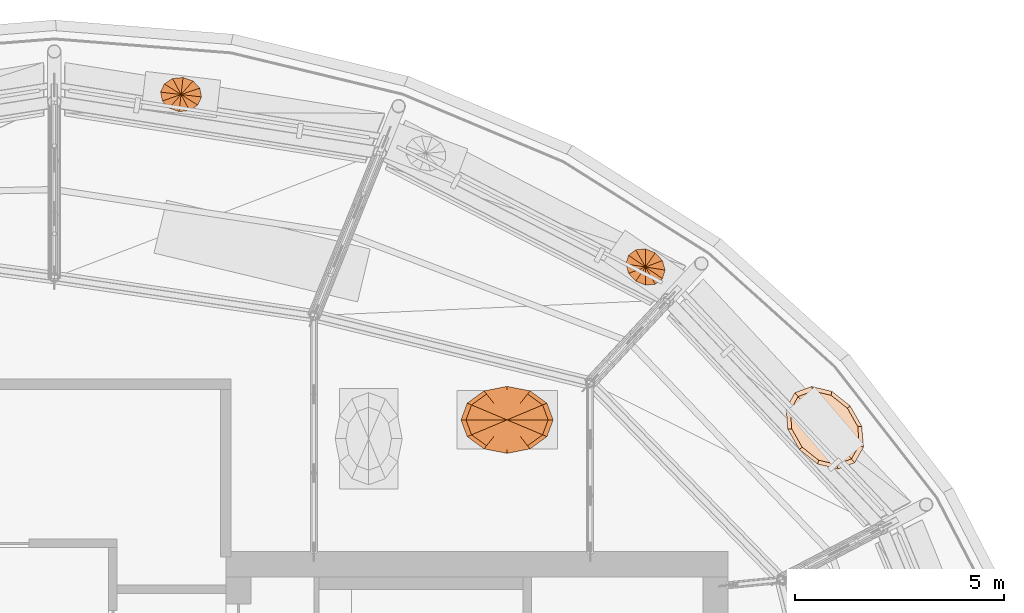
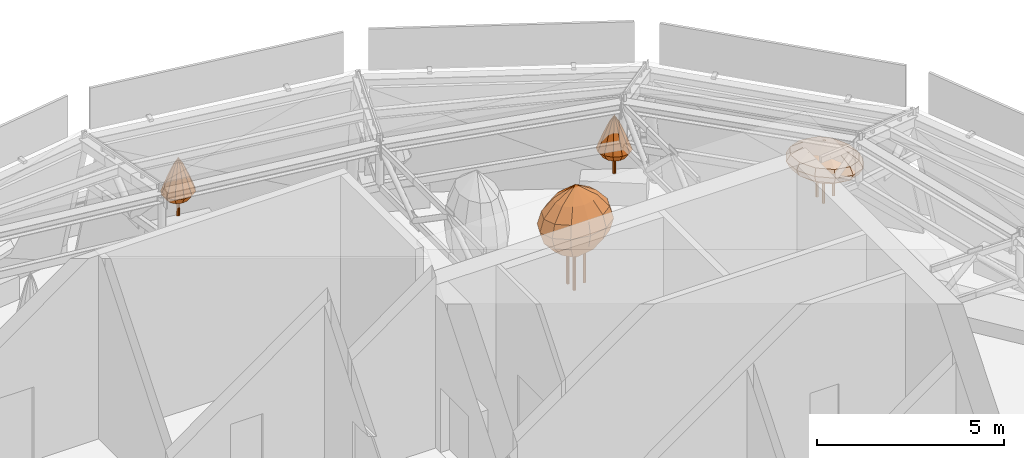
# One storey, part 39 of 40: 4 geographic elements.
"""IFC4 building model written with IfcOpenShell, lengths in metres."""

from ifc_helpers import new_model, si_unit, direction, frame, origin, place, context, subcontext, project, spatial, faceted_brep, material, constituent, constituent_set, type_object, element, save


model = new_model("IFC4")

# Units and contexts
model_context = context("Model", 3, precision=1e-05, world=origin(), true_north=direction((0.0, 1.0)))
body_context = subcontext(model_context, "Body", "Model", "MODEL_VIEW")
ifc_project = project(units=[si_unit("LENGTHUNIT", "METRE"), si_unit("AREAUNIT", "SQUARE_METRE"), si_unit("VOLUMEUNIT", "CUBIC_METRE"), si_unit("PLANEANGLEUNIT", "RADIAN"), si_unit("MASSUNIT", "GRAM", prefix="KILO")], contexts=[model_context])

# Site, building, storey
site_placement = place(None, origin())
site = spatial("IfcSite", under=ifc_project, at=site_placement, CompositionType="ELEMENT")
building_placement = place(site_placement, origin())
building = spatial("IfcBuilding", under=site, at=building_placement, Name="Taillehof Tower", CompositionType="ELEMENT")
storey_placement = place(building_placement, frame((0.0, 0.0, 275.199951171875)))
storey = spatial("IfcBuildingStorey", under=building, at=storey_placement, Name="L77", CompositionType="ELEMENT", Elevation=275.199951171875)

# Geographic elements
ifc_material_1 = material(Name="Tree bark", Category="timber")
ifc_constituent_1 = constituent(ifc_material_1, Name="Trunk", Category="timber")
ifc_material_2 = material(Name="Tree foliage")
ifc_constituent_2 = constituent(ifc_material_2, Name="Crown")
ifc_constituent_set_1 = constituent_set(constituents=[ifc_constituent_1, ifc_constituent_2], Name="Tree TR10 Scots pine standard")
geographic_element_type_1 = type_object("IfcGeographicElementType", Name="Tree TR10 Scots pine standard", PredefinedType="USERDEFINED", material=ifc_constituent_set_1)
geographic_element_1_placement = place(storey_placement, frame((14.023193359375, 16.8017578125, 0.75)))
element("IfcGeographicElement", 1, at=geographic_element_1_placement, inside=storey, type_object=geographic_element_type_1, Name="Tree TR10 Scots pine standard", ObjectType="TREE", PredefinedType="USERDEFINED", context=body_context, shape_type="Brep", body=[
    faceted_brep([(0.050048828125, 0.0, 0.0), (0.035400390625, 0.035400390625, 0.0), (0.035400390625, 0.035400390625, 1.035400390625), (0.050048828125, 0.0, 1.035400390625), (0.0, 0.050048828125, 0.0), (0.0, 0.050048828125, 1.035400390625), (-0.035400390625, 0.035400390625, 0.0), (-0.035400390625, 0.035400390625, 1.035400390625), (-0.050048828125, 0.0, 0.0), (-0.050048828125, 0.0, 1.035400390625), (-0.035400390625, -0.035400390625, 0.0), (-0.035400390625, -0.035400390625, 1.035400390625), (0.0, -0.050048828125, 0.0), (0.0, -0.050048828125, 1.035400390625), (0.035400390625, -0.035400390625, 0.0), (0.035400390625, -0.035400390625, 1.035400390625)], [[[0, 1, 2, 3]], [[1, 4, 5, 2]], [[4, 6, 7, 5]], [[6, 8, 9, 7]], [[8, 10, 11, 9]], [[10, 12, 13, 11]], [[12, 14, 15, 13]], [[14, 0, 3, 15]], [[14, 12, 10, 8, 6, 4, 1, 0]], [[3, 2, 5, 7, 9, 11, 13, 15]]]),
    faceted_brep([(-0.27197265625, 0.18701171875, 0.570068359375), (-0.3134765625, 0.048583984375, 0.570068359375), (-0.4677734375, 0.07275390625, 0.791748046875), (-0.40576171875, 0.279296875, 0.791748046875), (-0.27099609375, -0.102783203125, 0.570068359375), (-0.404541015625, -0.1533203125, 0.791748046875), (-0.15576171875, -0.2265625, 0.570068359375), (-0.232666015625, -0.338134765625, 0.791748046875), (0.0009765625, -0.289794921875, 0.570068359375), (0.00146484375, -0.4326171875, 0.791748046875), (0.157470703125, -0.275146484375, 0.570068359375), (0.235107421875, -0.410888671875, 0.791748046875), (0.27197265625, -0.18701171875, 0.570068359375), (0.40576171875, -0.279296875, 0.791748046875), (0.3134765625, -0.048583984375, 0.570068359375), (0.4677734375, -0.07275390625, 0.791748046875), (0.27099609375, 0.102783203125, 0.570068359375), (0.404541015625, 0.1533203125, 0.791748046875), (0.15576171875, 0.2265625, 0.570068359375), (0.232666015625, 0.338134765625, 0.791748046875), (-0.0009765625, 0.289794921875, 0.570068359375), (-0.00146484375, 0.4326171875, 0.791748046875), (-0.157470703125, 0.275146484375, 0.570068359375), (-0.235107421875, 0.410888671875, 0.791748046875), (-0.391357421875, 0.060791015625, 1.013427734375), (-0.339599609375, 0.233642578125, 1.013427734375), (-0.33837890625, -0.128173828125, 1.013427734375), (-0.194580078125, -0.282958984375, 1.013427734375), (0.001220703125, -0.36181640625, 1.013427734375), (0.19677734375, -0.34375, 1.013427734375), (0.339599609375, -0.233642578125, 1.013427734375), (0.391357421875, -0.060791015625, 1.013427734375), (0.33837890625, 0.128173828125, 1.013427734375), (0.194580078125, 0.282958984375, 1.013427734375), (-0.001220703125, 0.36181640625, 1.013427734375), (-0.19677734375, 0.34375, 1.013427734375), (-0.310791015625, 0.04833984375, 1.235107421875), (-0.269775390625, 0.185546875, 1.235107421875), (-0.268798828125, -0.101806640625, 1.235107421875), (-0.154541015625, -0.224853515625, 1.235107421875), (0.0009765625, -0.287353515625, 1.235107421875), (0.15625, -0.273193359375, 1.235107421875), (0.269775390625, -0.185546875, 1.235107421875), (0.310791015625, -0.04833984375, 1.235107421875), (0.268798828125, 0.101806640625, 1.235107421875), (0.154541015625, 0.224853515625, 1.235107421875), (-0.0009765625, 0.287353515625, 1.235107421875), (-0.15625, 0.273193359375, 1.235107421875), (-0.224853515625, 0.034912109375, 1.456787109375), (-0.195068359375, 0.134033203125, 1.456787109375), (-0.1943359375, -0.07373046875, 1.456787109375), (-0.11181640625, -0.16259765625, 1.456787109375), (0.000732421875, -0.207763671875, 1.456787109375), (0.113037109375, -0.197509765625, 1.456787109375), (0.195068359375, -0.134033203125, 1.456787109375), (0.224853515625, -0.034912109375, 1.456787109375), (0.1943359375, 0.07373046875, 1.456787109375), (0.11181640625, 0.16259765625, 1.456787109375), (-0.000732421875, 0.207763671875, 1.456787109375), (-0.113037109375, 0.197509765625, 1.456787109375), (-0.129150390625, 0.02001953125, 1.67822265625), (-0.112060546875, 0.0771484375, 1.67822265625), (-0.111572265625, -0.042236328125, 1.67822265625), (-0.064208984375, -0.09326171875, 1.67822265625), (0.00048828125, -0.119384765625, 1.67822265625), (0.06494140625, -0.11328125, 1.67822265625), (0.112060546875, -0.0771484375, 1.67822265625), (0.129150390625, -0.02001953125, 1.67822265625), (0.111572265625, 0.042236328125, 1.67822265625), (0.064208984375, 0.09326171875, 1.67822265625), (-0.00048828125, 0.119384765625, 1.67822265625), (-0.06494140625, 0.11328125, 1.67822265625), (0.0, 0.0, 1.89990234375)], [[[0, 1, 2, 3]], [[1, 4, 5, 2]], [[4, 6, 7, 5]], [[6, 8, 9, 7]], [[8, 10, 11, 9]], [[10, 12, 13, 11]], [[12, 14, 15, 13]], [[14, 16, 17, 15]], [[16, 18, 19, 17]], [[18, 20, 21, 19]], [[20, 22, 23, 21]], [[22, 0, 3, 23]], [[3, 2, 24, 25]], [[2, 5, 26, 24]], [[5, 7, 27, 26]], [[7, 9, 28, 27]], [[9, 11, 29, 28]], [[11, 13, 30, 29]], [[13, 15, 31, 30]], [[15, 17, 32, 31]], [[17, 19, 33, 32]], [[19, 21, 34, 33]], [[21, 23, 35, 34]], [[23, 3, 25, 35]], [[25, 24, 36, 37]], [[24, 26, 38, 36]], [[26, 27, 39, 38]], [[27, 28, 40, 39]], [[28, 29, 41, 40]], [[29, 30, 42, 41]], [[30, 31, 43, 42]], [[31, 32, 44, 43]], [[32, 33, 45, 44]], [[33, 34, 46, 45]], [[34, 35, 47, 46]], [[35, 25, 37, 47]], [[37, 36, 48, 49]], [[36, 38, 50, 48]], [[38, 39, 51, 50]], [[39, 40, 52, 51]], [[40, 41, 53, 52]], [[41, 42, 54, 53]], [[42, 43, 55, 54]], [[43, 44, 56, 55]], [[44, 45, 57, 56]], [[45, 46, 58, 57]], [[46, 47, 59, 58]], [[47, 37, 49, 59]], [[49, 48, 60, 61]], [[48, 50, 62, 60]], [[50, 51, 63, 62]], [[51, 52, 64, 63]], [[52, 53, 65, 64]], [[53, 54, 66, 65]], [[54, 55, 67, 66]], [[55, 56, 68, 67]], [[56, 57, 69, 68]], [[57, 58, 70, 69]], [[58, 59, 71, 70]], [[59, 49, 61, 71]], [[61, 60, 72]], [[60, 62, 72]], [[62, 63, 72]], [[63, 64, 72]], [[64, 65, 72]], [[65, 66, 72]], [[66, 67, 72]], [[67, 68, 72]], [[68, 69, 72]], [[69, 70, 72]], [[70, 71, 72]], [[71, 61, 72]], [[22, 20, 18, 16, 14, 12, 10, 8, 6, 4, 1, 0]]]),
])
geographic_element_2_placement = place(storey_placement, frame((2.92822265625, 20.922119140625, 0.75)))
element("IfcGeographicElement", 2, at=geographic_element_2_placement, inside=storey, type_object=geographic_element_type_1, Name="Tree TR10 Scots pine standard", ObjectType="TREE", PredefinedType="USERDEFINED", context=body_context, shape_type="Brep", body=[
    faceted_brep([(0.050048828125, 0.0, 0.0), (0.035400390625, 0.035400390625, 0.0), (0.035400390625, 0.035400390625, 1.035400390625), (0.050048828125, 0.0, 1.035400390625), (0.0, 0.050048828125, 0.0), (0.0, 0.050048828125, 1.035400390625), (-0.035400390625, 0.035400390625, 0.0), (-0.035400390625, 0.035400390625, 1.035400390625), (-0.050048828125, 0.0, 0.0), (-0.050048828125, 0.0, 1.035400390625), (-0.035400390625, -0.035400390625, 0.0), (-0.035400390625, -0.035400390625, 1.035400390625), (0.0, -0.050048828125, 0.0), (0.0, -0.050048828125, 1.035400390625), (0.035400390625, -0.035400390625, 0.0), (0.035400390625, -0.035400390625, 1.035400390625)], [[[0, 1, 2, 3]], [[1, 4, 5, 2]], [[4, 6, 7, 5]], [[6, 8, 9, 7]], [[8, 10, 11, 9]], [[10, 12, 13, 11]], [[12, 14, 15, 13]], [[14, 0, 3, 15]], [[14, 12, 10, 8, 6, 4, 1, 0]], [[3, 2, 5, 7, 9, 11, 13, 15]]]),
    faceted_brep([(-0.32763671875, 0.03857421875, 0.570068359375), (-0.300048828125, -0.10302734375, 0.570068359375), (-0.44775390625, -0.15380859375, 0.791748046875), (-0.4892578125, 0.057861328125, 0.791748046875), (-0.19189453125, -0.21728515625, 0.570068359375), (-0.286376953125, -0.32421875, 0.791748046875), (-0.0322265625, -0.273193359375, 0.570068359375), (-0.048095703125, -0.40771484375, 0.791748046875), (0.135986328125, -0.255859375, 0.570068359375), (0.202880859375, -0.3818359375, 0.791748046875), (0.267578125, -0.170166015625, 0.570068359375), (0.399658203125, -0.25390625, 0.791748046875), (0.32763671875, -0.03857421875, 0.570068359375), (0.4892578125, -0.057861328125, 0.791748046875), (0.300048828125, 0.10302734375, 0.570068359375), (0.44775390625, 0.15380859375, 0.791748046875), (0.19189453125, 0.21728515625, 0.570068359375), (0.286376953125, 0.32421875, 0.791748046875), (0.0322265625, 0.273193359375, 0.570068359375), (0.048095703125, 0.40771484375, 0.791748046875), (-0.135986328125, 0.255859375, 0.570068359375), (-0.202880859375, 0.3818359375, 0.791748046875), (-0.267578125, 0.170166015625, 0.570068359375), (-0.399658203125, 0.25390625, 0.791748046875), (-0.37451171875, -0.128662109375, 1.013427734375), (-0.4091796875, 0.04833984375, 1.013427734375), (-0.239501953125, -0.271240234375, 1.013427734375), (-0.040283203125, -0.341064453125, 1.013427734375), (0.169677734375, -0.319580078125, 1.013427734375), (0.334228515625, -0.21240234375, 1.013427734375), (0.4091796875, -0.04833984375, 1.013427734375), (0.37451171875, 0.128662109375, 1.013427734375), (0.239501953125, 0.271240234375, 1.013427734375), (0.040283203125, 0.341064453125, 1.013427734375), (-0.169677734375, 0.319580078125, 1.013427734375), (-0.334228515625, 0.21240234375, 1.013427734375), (-0.297607421875, -0.102294921875, 1.235107421875), (-0.3251953125, 0.038330078125, 1.235107421875), (-0.190185546875, -0.21533203125, 1.235107421875), (-0.031982421875, -0.27099609375, 1.235107421875), (0.134765625, -0.25390625, 1.235107421875), (0.265625, -0.168701171875, 1.235107421875), (0.3251953125, -0.038330078125, 1.235107421875), (0.297607421875, 0.102294921875, 1.235107421875), (0.190185546875, 0.21533203125, 1.235107421875), (0.031982421875, 0.27099609375, 1.235107421875), (-0.134765625, 0.25390625, 1.235107421875), (-0.265625, 0.168701171875, 1.235107421875), (-0.215087890625, -0.073974609375, 1.456787109375), (-0.235107421875, 0.02783203125, 1.456787109375), (-0.137451171875, -0.15576171875, 1.456787109375), (-0.023193359375, -0.19580078125, 1.456787109375), (0.097412109375, -0.18359375, 1.456787109375), (0.19189453125, -0.1220703125, 1.456787109375), (0.235107421875, -0.02783203125, 1.456787109375), (0.215087890625, 0.073974609375, 1.456787109375), (0.137451171875, 0.15576171875, 1.456787109375), (0.023193359375, 0.19580078125, 1.456787109375), (-0.097412109375, 0.18359375, 1.456787109375), (-0.19189453125, 0.1220703125, 1.456787109375), (-0.12353515625, -0.04248046875, 1.67822265625), (-0.135009765625, 0.015869140625, 1.67822265625), (-0.0791015625, -0.08935546875, 1.67822265625), (-0.01318359375, -0.112548828125, 1.67822265625), (0.055908203125, -0.10546875, 1.67822265625), (0.1103515625, -0.070068359375, 1.67822265625), (0.135009765625, -0.015869140625, 1.67822265625), (0.12353515625, 0.04248046875, 1.67822265625), (0.0791015625, 0.08935546875, 1.67822265625), (0.01318359375, 0.112548828125, 1.67822265625), (-0.055908203125, 0.10546875, 1.67822265625), (-0.1103515625, 0.070068359375, 1.67822265625), (0.0, 0.0, 1.89990234375)], [[[0, 1, 2, 3]], [[1, 4, 5, 2]], [[4, 6, 7, 5]], [[6, 8, 9, 7]], [[8, 10, 11, 9]], [[10, 12, 13, 11]], [[12, 14, 15, 13]], [[14, 16, 17, 15]], [[16, 18, 19, 17]], [[18, 20, 21, 19]], [[20, 22, 23, 21]], [[22, 0, 3, 23]], [[3, 2, 24, 25]], [[2, 5, 26, 24]], [[5, 7, 27, 26]], [[7, 9, 28, 27]], [[9, 11, 29, 28]], [[11, 13, 30, 29]], [[13, 15, 31, 30]], [[15, 17, 32, 31]], [[17, 19, 33, 32]], [[19, 21, 34, 33]], [[21, 23, 35, 34]], [[23, 3, 25, 35]], [[25, 24, 36, 37]], [[24, 26, 38, 36]], [[26, 27, 39, 38]], [[27, 28, 40, 39]], [[28, 29, 41, 40]], [[29, 30, 42, 41]], [[30, 31, 43, 42]], [[31, 32, 44, 43]], [[32, 33, 45, 44]], [[33, 34, 46, 45]], [[34, 35, 47, 46]], [[35, 25, 37, 47]], [[37, 36, 48, 49]], [[36, 38, 50, 48]], [[38, 39, 51, 50]], [[39, 40, 52, 51]], [[40, 41, 53, 52]], [[41, 42, 54, 53]], [[42, 43, 55, 54]], [[43, 44, 56, 55]], [[44, 45, 57, 56]], [[45, 46, 58, 57]], [[46, 47, 59, 58]], [[47, 37, 49, 59]], [[49, 48, 60, 61]], [[48, 50, 62, 60]], [[50, 51, 63, 62]], [[51, 52, 64, 63]], [[52, 53, 65, 64]], [[53, 54, 66, 65]], [[54, 55, 67, 66]], [[55, 56, 68, 67]], [[56, 57, 69, 68]], [[57, 58, 70, 69]], [[58, 59, 71, 70]], [[59, 49, 61, 71]], [[61, 60, 72]], [[60, 62, 72]], [[62, 63, 72]], [[63, 64, 72]], [[64, 65, 72]], [[65, 66, 72]], [[66, 67, 72]], [[67, 68, 72]], [[68, 69, 72]], [[69, 70, 72]], [[70, 71, 72]], [[71, 61, 72]], [[22, 20, 18, 16, 14, 12, 10, 8, 6, 4, 1, 0]]]),
])
ifc_material_3 = material(Name="Tree bark", Category="timber")
ifc_constituent_3 = constituent(ifc_material_3, Name="Trunk", Category="timber")
ifc_material_4 = material(Name="Tree foliage")
ifc_constituent_4 = constituent(ifc_material_4, Name="Crown")
ifc_constituent_set_2 = constituent_set(constituents=[ifc_constituent_3, ifc_constituent_4], Name="Tree TR9 Multi-stem hawthorn")
geographic_element_type_2 = type_object("IfcGeographicElementType", Name="Tree TR9 Multi-stem hawthorn", PredefinedType="USERDEFINED", material=ifc_constituent_set_2)
geographic_element_3_placement = place(storey_placement, frame((10.716552734375, 13.14990234375, 0.449951171875)))
element("IfcGeographicElement", 3, at=geographic_element_3_placement, inside=storey, type_object=geographic_element_type_2, Name="Tree TR9 Multi-stem hawthorn", ObjectType="TREE", PredefinedType="USERDEFINED", context=body_context, shape_type="Brep", body=[
    faceted_brep([(0.31982421875, 0.0, 0.0), (0.306640625, 0.03173828125, 0.0), (0.306640625, 0.03173828125, 1.739990234375), (0.31982421875, 0.0, 1.739990234375), (0.27490234375, 0.044921875, 0.0), (0.27490234375, 0.044921875, 1.739990234375), (0.2431640625, 0.03173828125, 0.0), (0.2431640625, 0.03173828125, 1.739990234375), (0.22998046875, 0.0, 0.0), (0.22998046875, 0.0, 1.739990234375), (0.2431640625, -0.03173828125, 0.0), (0.2431640625, -0.03173828125, 1.739990234375), (0.27490234375, -0.044921875, 0.0), (0.27490234375, -0.044921875, 1.739990234375), (0.306640625, -0.03173828125, 0.0), (0.306640625, -0.03173828125, 1.739990234375)], [[[0, 1, 2, 3]], [[1, 4, 5, 2]], [[4, 6, 7, 5]], [[6, 8, 9, 7]], [[8, 10, 11, 9]], [[10, 12, 13, 11]], [[12, 14, 15, 13]], [[14, 0, 3, 15]], [[14, 12, 10, 8, 6, 4, 1, 0]], [[3, 2, 5, 7, 9, 11, 13, 15]]]),
    faceted_brep([(-0.092529296875, 0.173095703125, 0.0), (-0.105712890625, 0.205078125, 0.0), (-0.105712890625, 0.205078125, 1.739990234375), (-0.092529296875, 0.173095703125, 1.739990234375), (-0.137451171875, 0.218017578125, 0.0), (-0.137451171875, 0.218017578125, 1.739990234375), (-0.169189453125, 0.205078125, 0.0), (-0.169189453125, 0.205078125, 1.739990234375), (-0.182373046875, 0.173095703125, 0.0), (-0.182373046875, 0.173095703125, 1.739990234375), (-0.169189453125, 0.141357421875, 0.0), (-0.169189453125, 0.141357421875, 1.739990234375), (-0.137451171875, 0.12841796875, 0.0), (-0.137451171875, 0.12841796875, 1.739990234375), (-0.105712890625, 0.141357421875, 0.0), (-0.105712890625, 0.141357421875, 1.739990234375)], [[[0, 1, 2, 3]], [[1, 4, 5, 2]], [[4, 6, 7, 5]], [[6, 8, 9, 7]], [[8, 10, 11, 9]], [[10, 12, 13, 11]], [[12, 14, 15, 13]], [[14, 0, 3, 15]], [[14, 12, 10, 8, 6, 4, 1, 0]], [[3, 2, 5, 7, 9, 11, 13, 15]]]),
    faceted_brep([(-0.092529296875, -0.173095703125, 0.0), (-0.105712890625, -0.141357421875, 0.0), (-0.105712890625, -0.141357421875, 1.739990234375), (-0.092529296875, -0.173095703125, 1.739990234375), (-0.137451171875, -0.12841796875, 0.0), (-0.137451171875, -0.12841796875, 1.739990234375), (-0.169189453125, -0.141357421875, 0.0), (-0.169189453125, -0.141357421875, 1.739990234375), (-0.182373046875, -0.173095703125, 0.0), (-0.182373046875, -0.173095703125, 1.739990234375), (-0.169189453125, -0.205078125, 0.0), (-0.169189453125, -0.205078125, 1.739990234375), (-0.137451171875, -0.218017578125, 0.0), (-0.137451171875, -0.218017578125, 1.739990234375), (-0.105712890625, -0.205078125, 0.0), (-0.105712890625, -0.205078125, 1.739990234375)], [[[0, 1, 2, 3]], [[1, 4, 5, 2]], [[4, 6, 7, 5]], [[6, 8, 9, 7]], [[8, 10, 11, 9]], [[10, 12, 13, 11]], [[12, 14, 15, 13]], [[14, 0, 3, 15]], [[14, 12, 10, 8, 6, 4, 1, 0]], [[3, 2, 5, 7, 9, 11, 13, 15]]]),
    faceted_brep([(0.0, 0.0, 0.89990234375), (-0.547119140625, -0.229736328125, 1.300048828125), (-0.6318359375, 0.0, 1.300048828125), (-0.31591796875, -0.39794921875, 1.300048828125), (0.0, -0.45947265625, 1.300048828125), (0.31591796875, -0.39794921875, 1.300048828125), (0.547119140625, -0.229736328125, 1.300048828125), (0.6318359375, 0.0, 1.300048828125), (0.547119140625, 0.229736328125, 1.300048828125), (0.31591796875, 0.39794921875, 1.300048828125), (0.0, 0.45947265625, 1.300048828125), (-0.31591796875, 0.39794921875, 1.300048828125), (-0.547119140625, 0.229736328125, 1.300048828125), (-0.84912109375, -0.3564453125, 1.699951171875), (-0.98046875, 0.0, 1.699951171875), (-0.490234375, -0.617431640625, 1.699951171875), (0.0, -0.713134765625, 1.699951171875), (0.490234375, -0.617431640625, 1.699951171875), (0.84912109375, -0.3564453125, 1.699951171875), (0.98046875, 0.0, 1.699951171875), (0.84912109375, 0.3564453125, 1.699951171875), (0.490234375, 0.617431640625, 1.699951171875), (0.0, 0.713134765625, 1.699951171875), (-0.490234375, 0.617431640625, 1.699951171875), (-0.84912109375, 0.3564453125, 1.699951171875), (-0.95263671875, -0.39990234375, 2.10009765625), (-1.10009765625, 0.0, 2.10009765625), (-0.550048828125, -0.69287109375, 2.10009765625), (0.0, -0.800048828125, 2.10009765625), (0.550048828125, -0.69287109375, 2.10009765625), (0.95263671875, -0.39990234375, 2.10009765625), (1.10009765625, 0.0, 2.10009765625), (0.95263671875, 0.39990234375, 2.10009765625), (0.550048828125, 0.69287109375, 2.10009765625), (0.0, 0.800048828125, 2.10009765625), (-0.550048828125, 0.69287109375, 2.10009765625), (-0.95263671875, 0.39990234375, 2.10009765625), (-0.84912109375, -0.3564453125, 2.5), (-0.98046875, 0.0, 2.5), (-0.490234375, -0.617431640625, 2.5), (0.0, -0.713134765625, 2.5), (0.490234375, -0.617431640625, 2.5), (0.84912109375, -0.3564453125, 2.5), (0.98046875, 0.0, 2.5), (0.84912109375, 0.3564453125, 2.5), (0.490234375, 0.617431640625, 2.5), (0.0, 0.713134765625, 2.5), (-0.490234375, 0.617431640625, 2.5), (-0.84912109375, 0.3564453125, 2.5), (-0.547119140625, -0.229736328125, 2.89990234375), (-0.6318359375, 0.0, 2.89990234375), (-0.31591796875, -0.39794921875, 2.89990234375), (0.0, -0.45947265625, 2.89990234375), (0.31591796875, -0.39794921875, 2.89990234375), (0.547119140625, -0.229736328125, 2.89990234375), (0.6318359375, 0.0, 2.89990234375), (0.547119140625, 0.229736328125, 2.89990234375), (0.31591796875, 0.39794921875, 2.89990234375), (0.0, 0.45947265625, 2.89990234375), (-0.31591796875, 0.39794921875, 2.89990234375), (-0.547119140625, 0.229736328125, 2.89990234375), (0.0, 0.0, 3.300048828125)], [[[0, 1, 2]], [[0, 3, 1]], [[0, 4, 3]], [[0, 5, 4]], [[0, 6, 5]], [[0, 7, 6]], [[0, 8, 7]], [[0, 9, 8]], [[0, 10, 9]], [[0, 11, 10]], [[0, 12, 11]], [[0, 2, 12]], [[2, 1, 13, 14]], [[1, 3, 15, 13]], [[3, 4, 16, 15]], [[4, 5, 17, 16]], [[5, 6, 18, 17]], [[6, 7, 19, 18]], [[7, 8, 20, 19]], [[8, 9, 21, 20]], [[9, 10, 22, 21]], [[10, 11, 23, 22]], [[11, 12, 24, 23]], [[12, 2, 14, 24]], [[14, 13, 25, 26]], [[13, 15, 27, 25]], [[15, 16, 28, 27]], [[16, 17, 29, 28]], [[17, 18, 30, 29]], [[18, 19, 31, 30]], [[19, 20, 32, 31]], [[20, 21, 33, 32]], [[21, 22, 34, 33]], [[22, 23, 35, 34]], [[23, 24, 36, 35]], [[24, 14, 26, 36]], [[26, 25, 37, 38]], [[25, 27, 39, 37]], [[27, 28, 40, 39]], [[28, 29, 41, 40]], [[29, 30, 42, 41]], [[30, 31, 43, 42]], [[31, 32, 44, 43]], [[32, 33, 45, 44]], [[33, 34, 46, 45]], [[34, 35, 47, 46]], [[35, 36, 48, 47]], [[36, 26, 38, 48]], [[38, 37, 49, 50]], [[37, 39, 51, 49]], [[39, 40, 52, 51]], [[40, 41, 53, 52]], [[41, 42, 54, 53]], [[42, 43, 55, 54]], [[43, 44, 56, 55]], [[44, 45, 57, 56]], [[45, 46, 58, 57]], [[46, 47, 59, 58]], [[47, 48, 60, 59]], [[48, 38, 50, 60]], [[50, 49, 61]], [[49, 51, 61]], [[51, 52, 61]], [[52, 53, 61]], [[53, 54, 61]], [[54, 55, 61]], [[55, 56, 61]], [[56, 57, 61]], [[57, 58, 61]], [[58, 59, 61]], [[59, 60, 61]], [[60, 50, 61]]]),
])
geographic_element_4_placement = place(storey_placement, frame((18.305908203125, 12.962158203125, 0.75)))
element("IfcGeographicElement", 4, at=geographic_element_4_placement, inside=storey, type_object=geographic_element_type_2, Name="Tree TR9 Multi-stem hawthorn", ObjectType="TREE", PredefinedType="USERDEFINED", context=body_context, shape_type="Brep", body=[
    faceted_brep([(0.31982421875, 0.0, 0.0), (0.306640625, 0.03173828125, 0.0), (0.306640625, 0.03173828125, 1.035400390625), (0.31982421875, 0.0, 1.035400390625), (0.27490234375, 0.044921875, 0.0), (0.27490234375, 0.044921875, 1.035400390625), (0.2431640625, 0.03173828125, 0.0), (0.2431640625, 0.03173828125, 1.035400390625), (0.22998046875, 0.0, 0.0), (0.22998046875, 0.0, 1.035400390625), (0.2431640625, -0.03173828125, 0.0), (0.2431640625, -0.03173828125, 1.035400390625), (0.27490234375, -0.044921875, 0.0), (0.27490234375, -0.044921875, 1.035400390625), (0.306640625, -0.03173828125, 0.0), (0.306640625, -0.03173828125, 1.035400390625)], [[[0, 1, 2, 3]], [[1, 4, 5, 2]], [[4, 6, 7, 5]], [[6, 8, 9, 7]], [[8, 10, 11, 9]], [[10, 12, 13, 11]], [[12, 14, 15, 13]], [[14, 0, 3, 15]], [[14, 12, 10, 8, 6, 4, 1, 0]], [[3, 2, 5, 7, 9, 11, 13, 15]]]),
    faceted_brep([(-0.092529296875, 0.173095703125, 0.0), (-0.105712890625, 0.205078125, 0.0), (-0.105712890625, 0.205078125, 1.035400390625), (-0.092529296875, 0.173095703125, 1.035400390625), (-0.137451171875, 0.218017578125, 0.0), (-0.137451171875, 0.218017578125, 1.035400390625), (-0.169189453125, 0.205078125, 0.0), (-0.169189453125, 0.205078125, 1.035400390625), (-0.182373046875, 0.173095703125, 0.0), (-0.182373046875, 0.173095703125, 1.035400390625), (-0.169189453125, 0.141357421875, 0.0), (-0.169189453125, 0.141357421875, 1.035400390625), (-0.137451171875, 0.12841796875, 0.0), (-0.137451171875, 0.12841796875, 1.035400390625), (-0.105712890625, 0.141357421875, 0.0), (-0.105712890625, 0.141357421875, 1.035400390625)], [[[0, 1, 2, 3]], [[1, 4, 5, 2]], [[4, 6, 7, 5]], [[6, 8, 9, 7]], [[8, 10, 11, 9]], [[10, 12, 13, 11]], [[12, 14, 15, 13]], [[14, 0, 3, 15]], [[14, 12, 10, 8, 6, 4, 1, 0]], [[3, 2, 5, 7, 9, 11, 13, 15]]]),
    faceted_brep([(-0.092529296875, -0.173095703125, 0.0), (-0.105712890625, -0.141357421875, 0.0), (-0.105712890625, -0.141357421875, 1.035400390625), (-0.092529296875, -0.173095703125, 1.035400390625), (-0.137451171875, -0.12841796875, 0.0), (-0.137451171875, -0.12841796875, 1.035400390625), (-0.169189453125, -0.141357421875, 0.0), (-0.169189453125, -0.141357421875, 1.035400390625), (-0.182373046875, -0.173095703125, 0.0), (-0.182373046875, -0.173095703125, 1.035400390625), (-0.169189453125, -0.205078125, 0.0), (-0.169189453125, -0.205078125, 1.035400390625), (-0.137451171875, -0.218017578125, 0.0), (-0.137451171875, -0.218017578125, 1.035400390625), (-0.105712890625, -0.205078125, 0.0), (-0.105712890625, -0.205078125, 1.035400390625)], [[[0, 1, 2, 3]], [[1, 4, 5, 2]], [[4, 6, 7, 5]], [[6, 8, 9, 7]], [[8, 10, 11, 9]], [[10, 12, 13, 11]], [[12, 14, 15, 13]], [[14, 0, 3, 15]], [[14, 12, 10, 8, 6, 4, 1, 0]], [[3, 2, 5, 7, 9, 11, 13, 15]]]),
    faceted_brep([(0.0, 0.0, 0.570068359375), (-0.5302734375, 0.266357421875, 0.791748046875), (-0.410888671875, 0.47998046875, 0.791748046875), (-0.5078125, -0.018798828125, 0.791748046875), (-0.34912109375, -0.298828125, 0.791748046875), (-0.096923828125, -0.498779296875, 0.791748046875), (0.18115234375, -0.565185546875, 0.791748046875), (0.410888671875, -0.47998046875, 0.791748046875), (0.5302734375, -0.266357421875, 0.791748046875), (0.5078125, 0.018798828125, 0.791748046875), (0.34912109375, 0.298828125, 0.791748046875), (0.096923828125, 0.498779296875, 0.791748046875), (-0.18115234375, 0.565185546875, 0.791748046875), (-0.822998046875, 0.413330078125, 1.013427734375), (-0.637451171875, 0.744873046875, 1.013427734375), (-0.787841796875, -0.029052734375, 1.013427734375), (-0.541748046875, -0.463623046875, 1.013427734375), (-0.150390625, -0.77392578125, 1.013427734375), (0.28125, -0.876953125, 1.013427734375), (0.637451171875, -0.744873046875, 1.013427734375), (0.822998046875, -0.413330078125, 1.013427734375), (0.787841796875, 0.029052734375, 1.013427734375), (0.541748046875, 0.463623046875, 1.013427734375), (0.150390625, 0.77392578125, 1.013427734375), (-0.28125, 0.876953125, 1.013427734375), (-0.92333984375, 0.463623046875, 1.235107421875), (-0.71533203125, 0.835693359375, 1.235107421875), (-0.884033203125, -0.03271484375, 1.235107421875), (-0.60791015625, -0.520263671875, 1.235107421875), (-0.168701171875, -0.868408203125, 1.235107421875), (0.3154296875, -0.98388671875, 1.235107421875), (0.71533203125, -0.835693359375, 1.235107421875), (0.92333984375, -0.463623046875, 1.235107421875), (0.884033203125, 0.03271484375, 1.235107421875), (0.60791015625, 0.520263671875, 1.235107421875), (0.168701171875, 0.868408203125, 1.235107421875), (-0.3154296875, 0.98388671875, 1.235107421875), (-0.822998046875, 0.413330078125, 1.456787109375), (-0.637451171875, 0.744873046875, 1.456787109375), (-0.787841796875, -0.029052734375, 1.456787109375), (-0.541748046875, -0.463623046875, 1.456787109375), (-0.150390625, -0.77392578125, 1.456787109375), (0.28125, -0.876953125, 1.456787109375), (0.637451171875, -0.744873046875, 1.456787109375), (0.822998046875, -0.413330078125, 1.456787109375), (0.787841796875, 0.029052734375, 1.456787109375), (0.541748046875, 0.463623046875, 1.456787109375), (0.150390625, 0.77392578125, 1.456787109375), (-0.28125, 0.876953125, 1.456787109375), (-0.5302734375, 0.266357421875, 1.67822265625), (-0.410888671875, 0.47998046875, 1.67822265625), (-0.5078125, -0.018798828125, 1.67822265625), (-0.34912109375, -0.298828125, 1.67822265625), (-0.096923828125, -0.498779296875, 1.67822265625), (0.18115234375, -0.565185546875, 1.67822265625), (0.410888671875, -0.47998046875, 1.67822265625), (0.5302734375, -0.266357421875, 1.67822265625), (0.5078125, 0.018798828125, 1.67822265625), (0.34912109375, 0.298828125, 1.67822265625), (0.096923828125, 0.498779296875, 1.67822265625), (-0.18115234375, 0.565185546875, 1.67822265625), (0.0, 0.0, 1.89990234375)], [[[0, 1, 2]], [[0, 3, 1]], [[0, 4, 3]], [[0, 5, 4]], [[0, 6, 5]], [[0, 7, 6]], [[0, 8, 7]], [[0, 9, 8]], [[0, 10, 9]], [[0, 11, 10]], [[0, 12, 11]], [[0, 2, 12]], [[2, 1, 13, 14]], [[1, 3, 15, 13]], [[3, 4, 16, 15]], [[4, 5, 17, 16]], [[5, 6, 18, 17]], [[6, 7, 19, 18]], [[7, 8, 20, 19]], [[8, 9, 21, 20]], [[9, 10, 22, 21]], [[10, 11, 23, 22]], [[11, 12, 24, 23]], [[12, 2, 14, 24]], [[14, 13, 25, 26]], [[13, 15, 27, 25]], [[15, 16, 28, 27]], [[16, 17, 29, 28]], [[17, 18, 30, 29]], [[18, 19, 31, 30]], [[19, 20, 32, 31]], [[20, 21, 33, 32]], [[21, 22, 34, 33]], [[22, 23, 35, 34]], [[23, 24, 36, 35]], [[24, 14, 26, 36]], [[26, 25, 37, 38]], [[25, 27, 39, 37]], [[27, 28, 40, 39]], [[28, 29, 41, 40]], [[29, 30, 42, 41]], [[30, 31, 43, 42]], [[31, 32, 44, 43]], [[32, 33, 45, 44]], [[33, 34, 46, 45]], [[34, 35, 47, 46]], [[35, 36, 48, 47]], [[36, 26, 38, 48]], [[38, 37, 49, 50]], [[37, 39, 51, 49]], [[39, 40, 52, 51]], [[40, 41, 53, 52]], [[41, 42, 54, 53]], [[42, 43, 55, 54]], [[43, 44, 56, 55]], [[44, 45, 57, 56]], [[45, 46, 58, 57]], [[46, 47, 59, 58]], [[47, 48, 60, 59]], [[48, 38, 50, 60]], [[50, 49, 61]], [[49, 51, 61]], [[51, 52, 61]], [[52, 53, 61]], [[53, 54, 61]], [[54, 55, 61]], [[55, 56, 61]], [[56, 57, 61]], [[57, 58, 61]], [[58, 59, 61]], [[59, 60, 61]], [[60, 50, 61]]]),
])

save(model, "model.ifc")
